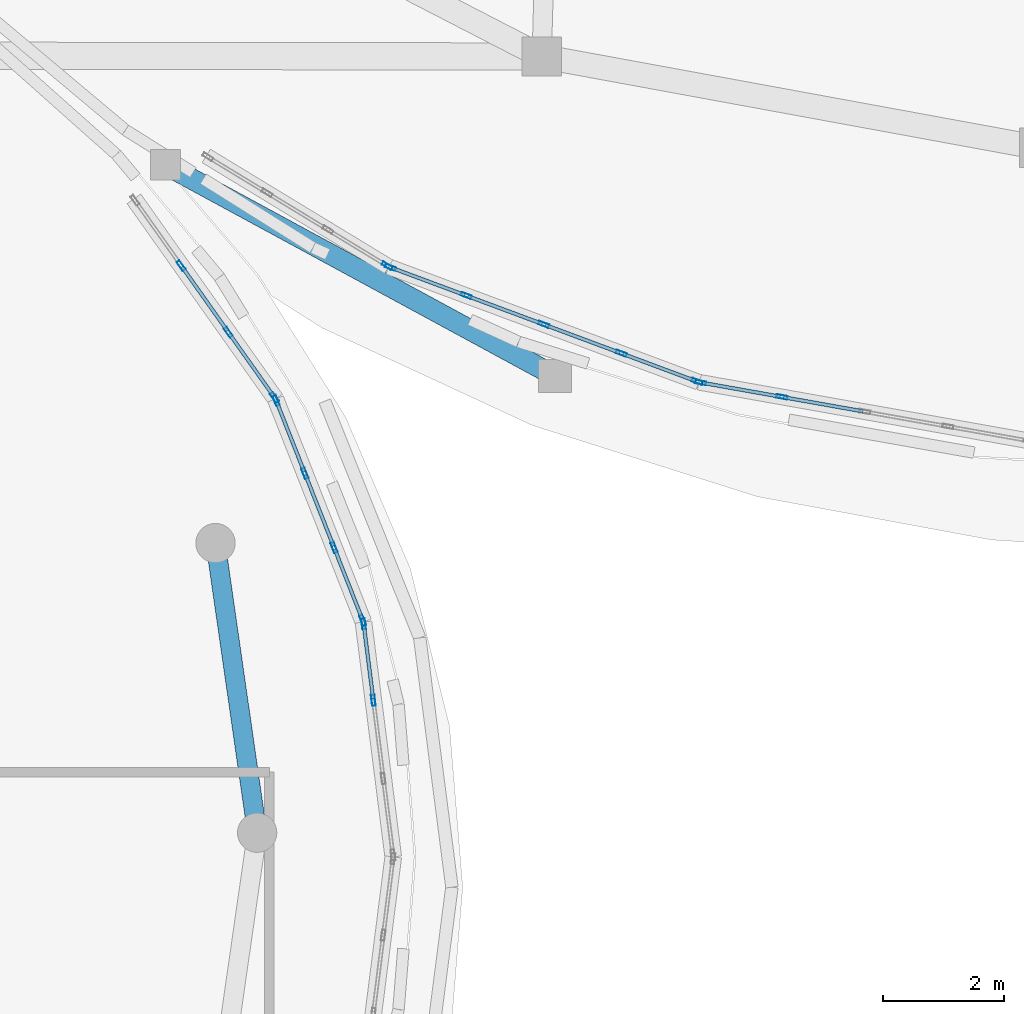
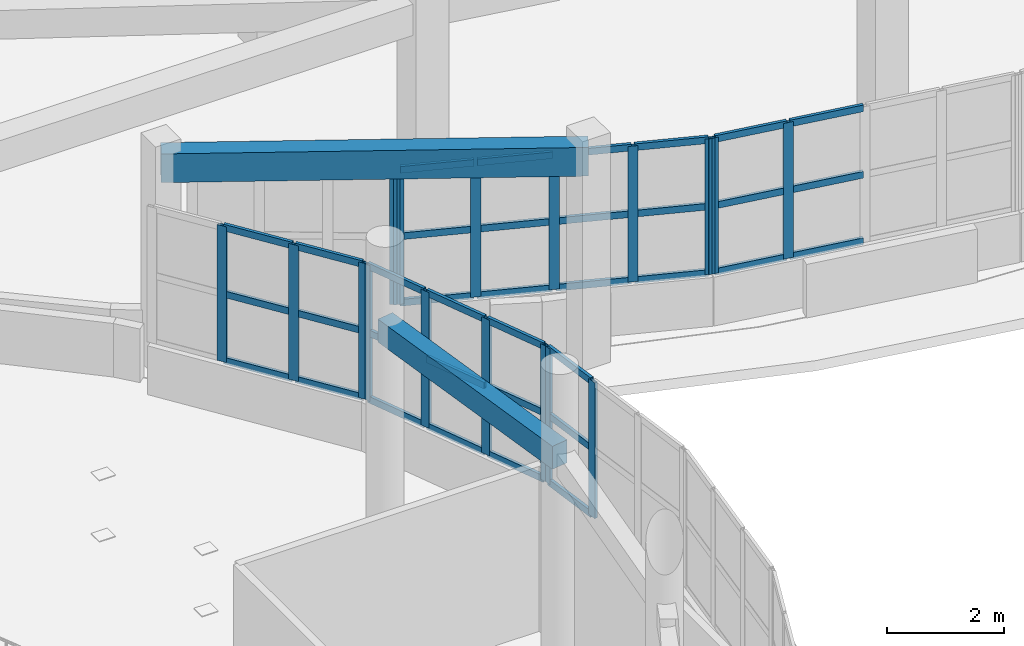
# One storey, part 11 of 105: 53 members, 2 beams, 6 elements without a shape of their own.
"""IFC4 building model written with IfcOpenShell, lengths in metres."""

from ifc_helpers import new_model, si_unit, direction, frame, origin, origin_2d, place, context, subcontext, project, spatial, rectangle, hollow_rectangle, extrude, material, layer, layer_set, material_profile, profile_set, type_object, element, aggregate, save


model = new_model("IFC4")

# Units and contexts
model_context = context("Model", 3, precision=1e-05, world=origin(), true_north=direction((0.0, 1.0)))
body_context = subcontext(model_context, "Body", "Model", "MODEL_VIEW")
ifc_project = project(units=[si_unit("LENGTHUNIT", "METRE"), si_unit("AREAUNIT", "SQUARE_METRE"), si_unit("VOLUMEUNIT", "CUBIC_METRE"), si_unit("PLANEANGLEUNIT", "RADIAN"), si_unit("MASSUNIT", "GRAM", prefix="KILO")], contexts=[model_context])

# Site, building, storey
site_placement = place(None, origin())
site = spatial("IfcSite", under=ifc_project, at=site_placement, CompositionType="ELEMENT")
building_placement = place(site_placement, origin())
building = spatial("IfcBuilding", under=site, at=building_placement, Name="Pelvatis Terrace Science Centre", CompositionType="ELEMENT")
storey_placement = place(building_placement, frame((0.0, 0.0, 10.199951171875)))
storey = spatial("IfcBuildingStorey", under=building, at=storey_placement, Name="L02", CompositionType="ELEMENT", Elevation=10.199951171875)

# Beam
ifc_material_1 = material(Name="Concrete C35/45", Category="concrete")
ifc_material_profile_1 = material_profile(ifc_material_1, rectangle(XDim=0.320068359375, YDim=0.47998046875, at=origin_2d()), Name="RC-BM 320x480")
ifc_profile_set_1 = profile_set([ifc_material_profile_1], Name="Concrete C35/45")
beam_type_1 = type_object("IfcBeamType", Name="BM-RC-320x480", PredefinedType="BEAM", material=ifc_profile_set_1)
beam_1_placement = place(storey_placement, frame((95.0, 54.60009765625, 4.300048828125), z_axis=(-0.142339615489, 0.989817879139, 0.0), x_axis=(-0.989817879139, -0.142339615489, 0.0)))
element("IfcBeam", 1, at=beam_1_placement, inside=storey, type_object=beam_type_1, Name="Beam BM-L02-2876", PredefinedType="BEAM", context=body_context, shape_type="SweptSolid", body=[
    extrude(rectangle(XDim=0.320068359375, YDim=0.47998046875, at=origin_2d()), origin(), (0.0, 0.0, 1.0), 4.838623046875),
])

# Curtain wall, members
ifc_material_2 = material(Name="Bronze-anodised aluminium and laminated glass", Category="aluminium")
ifc_layer = layer(ifc_material_2, 0.179931640625)
ifc_layer_set = layer_set([ifc_layer], Name="Bronze-anodised aluminium and laminated glass")
curtain_wall_type = type_object("IfcCurtainWallType", Name="CW-RIBBON-A", PredefinedType="NOTDEFINED", material=ifc_layer_set)
curtain_wall_1_placement = place(storey_placement, origin())
curtain_wall_1 = element("IfcCurtainWall", 2, at=curtain_wall_1_placement, inside=storey, type_object=curtain_wall_type, Name="Ribbon curtain wall CW-077 (L02)", PredefinedType="NOTDEFINED")
ifc_material_3 = material(Name="Bronze-anodised aluminium 6063-T6", Category="aluminium")
ifc_material_profile_2 = material_profile(ifc_material_3, hollow_rectangle(XDim=0.06005859375, YDim=0.179931640625, WallThickness=0.00390625, at=origin_2d()), Name="ALU-MUL 60x180")
ifc_profile_set_2 = profile_set([ifc_material_profile_2], Name="Bronze-anodised aluminium 6063-T6")
member_type_1 = type_object("IfcMemberType", Name="CWM-60x180", PredefinedType="MULLION", material=ifc_profile_set_2)
member_1_placement = place(storey_placement, frame((96.921630859375, 56.78857421875, 1.02001953125), z_axis=(0.0, 0.0, 1.0), x_axis=(-0.992045836863, -0.125877152665, 0.0)))
member_1 = element("IfcMember", 3, at=member_1_placement, type_object=member_type_1, Name="CW-077 mullion 3", PredefinedType="MULLION", context=body_context, shape_type="SweptSolid", body=[
    extrude(hollow_rectangle(XDim=0.06005859375, YDim=0.179931640625, WallThickness=0.00390625, at=origin_2d()), origin(), (0.0, 0.0, 1.0), 2.840087890625),
])
member_2_placement = place(storey_placement, frame((96.760986328125, 58.05322265625, 1.02001953125), z_axis=(0.0, 0.0, 1.0), x_axis=(-0.992045836863, -0.125877152665, 0.0)))
member_2 = element("IfcMember", 4, at=member_2_placement, type_object=member_type_1, Name="CW-077 mullion 4", PredefinedType="MULLION", context=body_context, shape_type="SweptSolid", body=[
    extrude(hollow_rectangle(XDim=0.06005859375, YDim=0.179931640625, WallThickness=0.00390625, at=origin_2d()), origin(), (0.0, 0.0, 1.0), 2.840087890625),
])

curtain_wall_2_placement = place(storey_placement, origin())
curtain_wall_2 = element("IfcCurtainWall", 5, at=curtain_wall_2_placement, inside=storey, type_object=curtain_wall_type, Name="Ribbon curtain wall CW-078 (L02)", PredefinedType="NOTDEFINED")
member_3_placement = place(storey_placement, frame((96.746337890625, 58.11083984375, 1.02001953125), z_axis=(0.0, 0.0, 1.0), x_axis=(-0.930379715899, -0.366597305287, 0.0)))
member_3 = element("IfcMember", 6, at=member_3_placement, type_object=member_type_1, Name="CW-078 mullion 1", PredefinedType="MULLION", context=body_context, shape_type="SweptSolid", body=[
    extrude(hollow_rectangle(XDim=0.06005859375, YDim=0.179931640625, WallThickness=0.00390625, at=origin_2d()), origin(), (0.0, 0.0, 1.0), 2.840087890625),
])
member_4_placement = place(storey_placement, frame((96.27294921875, 59.3125, 1.02001953125), z_axis=(0.0, 0.0, 1.0), x_axis=(-0.930379715899, -0.366597305287, 0.0)))
member_4 = element("IfcMember", 7, at=member_4_placement, type_object=member_type_1, Name="CW-078 mullion 2", PredefinedType="MULLION", context=body_context, shape_type="SweptSolid", body=[
    extrude(hollow_rectangle(XDim=0.06005859375, YDim=0.179931640625, WallThickness=0.00390625, at=origin_2d()), origin(), (0.0, 0.0, 1.0), 2.840087890625),
])
member_5_placement = place(storey_placement, frame((95.788330078125, 60.541748046875, 1.02001953125), z_axis=(0.0, 0.0, 1.0), x_axis=(-0.930379715899, -0.366597305287, 0.0)))
member_5 = element("IfcMember", 8, at=member_5_placement, type_object=member_type_1, Name="CW-078 mullion 3", PredefinedType="MULLION", context=body_context, shape_type="SweptSolid", body=[
    extrude(hollow_rectangle(XDim=0.06005859375, YDim=0.179931640625, WallThickness=0.00390625, at=origin_2d()), origin(), (0.0, 0.0, 1.0), 2.840087890625),
])
member_6_placement = place(storey_placement, frame((95.31494140625, 61.743408203125, 1.02001953125), z_axis=(0.0, 0.0, 1.0), x_axis=(-0.930379715899, -0.366597305287, 0.0)))
member_6 = element("IfcMember", 9, at=member_6_placement, type_object=member_type_1, Name="CW-078 mullion 4", PredefinedType="MULLION", context=body_context, shape_type="SweptSolid", body=[
    extrude(hollow_rectangle(XDim=0.06005859375, YDim=0.179931640625, WallThickness=0.00390625, at=origin_2d()), origin(), (0.0, 0.0, 1.0), 2.840087890625),
])

curtain_wall_3_placement = place(storey_placement, origin())
curtain_wall_3 = element("IfcCurtainWall", 10, at=curtain_wall_3_placement, inside=storey, type_object=curtain_wall_type, Name="Ribbon curtain wall CW-079 (L02)", PredefinedType="NOTDEFINED")
member_7_placement = place(storey_placement, frame((95.28662109375, 61.7958984375, 1.02001953125), z_axis=(0.0, 0.0, 1.0), x_axis=(-0.8163259778, -0.57759146286, 0.0)))
member_7 = element("IfcMember", 11, at=member_7_placement, type_object=member_type_1, Name="CW-079 mullion 1", PredefinedType="MULLION", context=body_context, shape_type="SweptSolid", body=[
    extrude(hollow_rectangle(XDim=0.06005859375, YDim=0.179931640625, WallThickness=0.00390625, at=origin_2d()), origin(), (0.0, 0.0, 1.0), 2.840087890625),
])
member_8_placement = place(storey_placement, frame((94.523681640625, 62.874267578125, 1.02001953125), z_axis=(0.0, 0.0, 1.0), x_axis=(-0.8163259778, -0.57759146286, 0.0)))
member_8 = element("IfcMember", 12, at=member_8_placement, type_object=member_type_1, Name="CW-079 mullion 2", PredefinedType="MULLION", context=body_context, shape_type="SweptSolid", body=[
    extrude(hollow_rectangle(XDim=0.06005859375, YDim=0.179931640625, WallThickness=0.00390625, at=origin_2d()), origin(), (0.0, 0.0, 1.0), 2.840087890625),
])
member_9_placement = place(storey_placement, frame((93.743408203125, 63.97705078125, 1.02001953125), z_axis=(0.0, 0.0, 1.0), x_axis=(-0.8163259778, -0.57759146286, 0.0)))
member_9 = element("IfcMember", 13, at=member_9_placement, type_object=member_type_1, Name="CW-079 mullion 3", PredefinedType="MULLION", context=body_context, shape_type="SweptSolid", body=[
    extrude(hollow_rectangle(XDim=0.06005859375, YDim=0.179931640625, WallThickness=0.00390625, at=origin_2d()), origin(), (0.0, 0.0, 1.0), 2.840087890625),
])

# Curtain wall, member
curtain_wall_4_placement = place(storey_placement, origin())
curtain_wall_4 = element("IfcCurtainWall", 14, at=curtain_wall_4_placement, inside=storey, type_object=curtain_wall_type, Name="Ribbon curtain wall CW-172 (L02)", PredefinedType="NOTDEFINED")
member_10_placement = place(storey_placement, frame((97.1494140625, 63.973388671875, 1.02001953125), z_axis=(0.0, 0.0, 1.0), x_axis=(0.519182878517, 0.854663172633, 0.0)))
member_10 = element("IfcMember", 15, at=member_10_placement, type_object=member_type_1, Name="CW-172 mullion 4", PredefinedType="MULLION", context=body_context, shape_type="SweptSolid", body=[
    extrude(hollow_rectangle(XDim=0.06005859375, YDim=0.179931640625, WallThickness=0.00390625, at=origin_2d()), origin(), (0.0, 0.0, 1.0), 2.840087890625),
])
aggregate(curtain_wall_4, [member_10])

# Curtain wall, members
curtain_wall_5_placement = place(storey_placement, origin())
curtain_wall_5 = element("IfcCurtainWall", 16, at=curtain_wall_5_placement, inside=storey, type_object=curtain_wall_type, Name="Ribbon curtain wall CW-173 (L02)", PredefinedType="NOTDEFINED")
member_11_placement = place(storey_placement, frame((97.203125, 63.947265625, 1.02001953125), z_axis=(0.0, 0.0, 1.0), x_axis=(0.348869228095, 0.937171415318, 0.0)))
member_11 = element("IfcMember", 17, at=member_11_placement, type_object=member_type_1, Name="CW-173 mullion 1", PredefinedType="MULLION", context=body_context, shape_type="SweptSolid", body=[
    extrude(hollow_rectangle(XDim=0.06005859375, YDim=0.179931640625, WallThickness=0.00390625, at=origin_2d()), origin(), (0.0, 0.0, 1.0), 2.840087890625),
])
member_12_placement = place(storey_placement, frame((98.45703125, 63.48046875, 1.02001953125), z_axis=(0.0, 0.0, 1.0), x_axis=(0.348869228095, 0.937171415318, 0.0)))
member_12 = element("IfcMember", 18, at=member_12_placement, type_object=member_type_1, Name="CW-173 mullion 2", PredefinedType="MULLION", context=body_context, shape_type="SweptSolid", body=[
    extrude(hollow_rectangle(XDim=0.06005859375, YDim=0.179931640625, WallThickness=0.00390625, at=origin_2d()), origin(), (0.0, 0.0, 1.0), 2.840087890625),
])
member_13_placement = place(storey_placement, frame((99.739013671875, 63.003173828125, 1.02001953125), z_axis=(0.0, 0.0, 1.0), x_axis=(0.348869228095, 0.937171415318, 0.0)))
member_13 = element("IfcMember", 19, at=member_13_placement, type_object=member_type_1, Name="CW-173 mullion 3", PredefinedType="MULLION", context=body_context, shape_type="SweptSolid", body=[
    extrude(hollow_rectangle(XDim=0.06005859375, YDim=0.179931640625, WallThickness=0.00390625, at=origin_2d()), origin(), (0.0, 0.0, 1.0), 2.840087890625),
])
member_14_placement = place(storey_placement, frame((101.02099609375, 62.526123046875, 1.02001953125), z_axis=(0.0, 0.0, 1.0), x_axis=(0.348869228095, 0.937171415318, 0.0)))
member_14 = element("IfcMember", 20, at=member_14_placement, type_object=member_type_1, Name="CW-173 mullion 4", PredefinedType="MULLION", context=body_context, shape_type="SweptSolid", body=[
    extrude(hollow_rectangle(XDim=0.06005859375, YDim=0.179931640625, WallThickness=0.00390625, at=origin_2d()), origin(), (0.0, 0.0, 1.0), 2.840087890625),
])
member_15_placement = place(storey_placement, frame((102.27490234375, 62.059326171875, 1.02001953125), z_axis=(0.0, 0.0, 1.0), x_axis=(0.348869228095, 0.937171415318, 0.0)))
member_15 = element("IfcMember", 21, at=member_15_placement, type_object=member_type_1, Name="CW-173 mullion 5", PredefinedType="MULLION", context=body_context, shape_type="SweptSolid", body=[
    extrude(hollow_rectangle(XDim=0.06005859375, YDim=0.179931640625, WallThickness=0.00390625, at=origin_2d()), origin(), (0.0, 0.0, 1.0), 2.840087890625),
])

curtain_wall_6_placement = place(storey_placement, origin())
curtain_wall_6 = element("IfcCurtainWall", 22, at=curtain_wall_6_placement, inside=storey, type_object=curtain_wall_type, Name="Ribbon curtain wall CW-174 (L02)", PredefinedType="NOTDEFINED")
member_16_placement = place(storey_placement, frame((102.33251953125, 62.04345703125, 1.02001953125), z_axis=(0.0, 0.0, 1.0), x_axis=(0.174983117252, 0.984571434014, 0.0)))
member_16 = element("IfcMember", 23, at=member_16_placement, type_object=member_type_1, Name="CW-174 mullion 1", PredefinedType="MULLION", context=body_context, shape_type="SweptSolid", body=[
    extrude(hollow_rectangle(XDim=0.06005859375, YDim=0.179931640625, WallThickness=0.00390625, at=origin_2d()), origin(), (0.0, 0.0, 1.0), 2.840087890625),
])
member_17_placement = place(storey_placement, frame((103.675537109375, 61.804931640625, 1.02001953125), z_axis=(0.0, 0.0, 1.0), x_axis=(0.174983117252, 0.984571434014, 0.0)))
member_17 = element("IfcMember", 24, at=member_17_placement, type_object=member_type_1, Name="CW-174 mullion 2", PredefinedType="MULLION", context=body_context, shape_type="SweptSolid", body=[
    extrude(hollow_rectangle(XDim=0.06005859375, YDim=0.179931640625, WallThickness=0.00390625, at=origin_2d()), origin(), (0.0, 0.0, 1.0), 2.840087890625),
])

# Member
ifc_material_4 = material(Name="Bronze-anodised aluminium 6063-T6", Category="aluminium")
ifc_material_profile_3 = material_profile(ifc_material_4, hollow_rectangle(XDim=0.06005859375, YDim=0.139892578125, WallThickness=0.00390625, at=origin_2d()), Name="ALU-TRN 60x140")
ifc_profile_set_3 = profile_set([ifc_material_profile_3], Name="Bronze-anodised aluminium 6063-T6")
member_type_2 = type_object("IfcMemberType", Name="CWT-60x140", PredefinedType="USERDEFINED", material=ifc_profile_set_3)
member_18_placement = place(storey_placement, frame((96.917724609375, 56.818359375, 1.050048828125), z_axis=(-0.125815556184, 0.992053650677, 0.0), x_axis=(-0.992053650677, -0.125815556184, 0.0)))
member_18 = element("IfcMember", 25, at=member_18_placement, type_object=member_type_2, Name="CW-077 transom 3.1", ObjectType="TRANSOM", PredefinedType="USERDEFINED", context=body_context, shape_type="SweptSolid", body=[
    extrude(hollow_rectangle(XDim=0.06005859375, YDim=0.139892578125, WallThickness=0.00390625, at=origin_2d()), origin(), (0.0, 0.0, 1.0), 1.21484375),
])

member_19_placement = place(storey_placement, frame((96.917724609375, 56.818359375, 2.43994140625), z_axis=(-0.125815556184, 0.992053650677, 0.0), x_axis=(-0.992053650677, -0.125815556184, 0.0)))
member_19 = element("IfcMember", 26, at=member_19_placement, type_object=member_type_2, Name="CW-077 transom 3.2", ObjectType="TRANSOM", PredefinedType="USERDEFINED", context=body_context, shape_type="SweptSolid", body=[
    extrude(hollow_rectangle(XDim=0.06005859375, YDim=0.139892578125, WallThickness=0.00390625, at=origin_2d()), origin(), (0.0, 0.0, 1.0), 1.21484375),
])

member_20_placement = place(storey_placement, frame((96.917724609375, 56.818359375, 3.830078125), z_axis=(-0.125815556184, 0.992053650677, 0.0), x_axis=(-0.992053650677, -0.125815556184, 0.0)))
member_20 = element("IfcMember", 27, at=member_20_placement, type_object=member_type_2, Name="CW-077 transom 3.3", ObjectType="TRANSOM", PredefinedType="USERDEFINED", context=body_context, shape_type="SweptSolid", body=[
    extrude(hollow_rectangle(XDim=0.06005859375, YDim=0.139892578125, WallThickness=0.00390625, at=origin_2d()), origin(), (0.0, 0.0, 1.0), 1.21484375),
])

aggregate(curtain_wall_1, [member_1, member_2, member_18, member_19, member_20])

member_21_placement = place(storey_placement, frame((96.7353515625, 58.138916015625, 1.050048828125), z_axis=(-0.366633747413, 0.930365355792, 0.0), x_axis=(-0.930365355792, -0.366633747413, 0.0)))
member_21 = element("IfcMember", 28, at=member_21_placement, type_object=member_type_2, Name="CW-078 transom 1.1", ObjectType="TRANSOM", PredefinedType="USERDEFINED", context=body_context, shape_type="SweptSolid", body=[
    extrude(hollow_rectangle(XDim=0.06005859375, YDim=0.139892578125, WallThickness=0.00390625, at=origin_2d()), origin(), (0.0, 0.0, 1.0), 1.231201171875),
])

member_22_placement = place(storey_placement, frame((96.7353515625, 58.138916015625, 2.43994140625), z_axis=(-0.366633747413, 0.930365355792, 0.0), x_axis=(-0.930365355792, -0.366633747413, 0.0)))
member_22 = element("IfcMember", 29, at=member_22_placement, type_object=member_type_2, Name="CW-078 transom 1.2", ObjectType="TRANSOM", PredefinedType="USERDEFINED", context=body_context, shape_type="SweptSolid", body=[
    extrude(hollow_rectangle(XDim=0.06005859375, YDim=0.139892578125, WallThickness=0.00390625, at=origin_2d()), origin(), (0.0, 0.0, 1.0), 1.231201171875),
])

member_23_placement = place(storey_placement, frame((96.7353515625, 58.138916015625, 3.830078125), z_axis=(-0.366633747413, 0.930365355792, 0.0), x_axis=(-0.930365355792, -0.366633747413, 0.0)))
member_23 = element("IfcMember", 30, at=member_23_placement, type_object=member_type_2, Name="CW-078 transom 1.3", ObjectType="TRANSOM", PredefinedType="USERDEFINED", context=body_context, shape_type="SweptSolid", body=[
    extrude(hollow_rectangle(XDim=0.06005859375, YDim=0.139892578125, WallThickness=0.00390625, at=origin_2d()), origin(), (0.0, 0.0, 1.0), 1.231201171875),
])

member_24_placement = place(storey_placement, frame((96.261962890625, 59.34033203125, 1.050048828125), z_axis=(-0.366747887868, 0.9303203678, 0.0), x_axis=(-0.9303203678, -0.366747887868, 0.0)))
member_24 = element("IfcMember", 31, at=member_24_placement, type_object=member_type_2, Name="CW-078 transom 2.1", ObjectType="TRANSOM", PredefinedType="USERDEFINED", context=body_context, shape_type="SweptSolid", body=[
    extrude(hollow_rectangle(XDim=0.06005859375, YDim=0.139892578125, WallThickness=0.00390625, at=origin_2d()), origin(), (0.0, 0.0, 1.0), 1.261474609375),
])

member_25_placement = place(storey_placement, frame((96.261962890625, 59.34033203125, 2.43994140625), z_axis=(-0.366747887868, 0.9303203678, 0.0), x_axis=(-0.9303203678, -0.366747887868, 0.0)))
member_25 = element("IfcMember", 32, at=member_25_placement, type_object=member_type_2, Name="CW-078 transom 2.2", ObjectType="TRANSOM", PredefinedType="USERDEFINED", context=body_context, shape_type="SweptSolid", body=[
    extrude(hollow_rectangle(XDim=0.06005859375, YDim=0.139892578125, WallThickness=0.00390625, at=origin_2d()), origin(), (0.0, 0.0, 1.0), 1.261474609375),
])

member_26_placement = place(storey_placement, frame((96.261962890625, 59.34033203125, 3.830078125), z_axis=(-0.366747887868, 0.9303203678, 0.0), x_axis=(-0.9303203678, -0.366747887868, 0.0)))
member_26 = element("IfcMember", 33, at=member_26_placement, type_object=member_type_2, Name="CW-078 transom 2.3", ObjectType="TRANSOM", PredefinedType="USERDEFINED", context=body_context, shape_type="SweptSolid", body=[
    extrude(hollow_rectangle(XDim=0.06005859375, YDim=0.139892578125, WallThickness=0.00390625, at=origin_2d()), origin(), (0.0, 0.0, 1.0), 1.261474609375),
])

member_27_placement = place(storey_placement, frame((95.77734375, 60.56982421875, 1.050048828125), z_axis=(-0.366566122362, 0.930392002296, 0.0), x_axis=(-0.930392002296, -0.366566122362, 0.0)))
member_27 = element("IfcMember", 34, at=member_27_placement, type_object=member_type_2, Name="CW-078 transom 3.1", ObjectType="TRANSOM", PredefinedType="USERDEFINED", context=body_context, shape_type="SweptSolid", body=[
    extrude(hollow_rectangle(XDim=0.06005859375, YDim=0.139892578125, WallThickness=0.00390625, at=origin_2d()), origin(), (0.0, 0.0, 1.0), 1.2314453125),
])

member_28_placement = place(storey_placement, frame((95.77734375, 60.56982421875, 2.43994140625), z_axis=(-0.366566122362, 0.930392002296, 0.0), x_axis=(-0.930392002296, -0.366566122362, 0.0)))
member_28 = element("IfcMember", 35, at=member_28_placement, type_object=member_type_2, Name="CW-078 transom 3.2", ObjectType="TRANSOM", PredefinedType="USERDEFINED", context=body_context, shape_type="SweptSolid", body=[
    extrude(hollow_rectangle(XDim=0.06005859375, YDim=0.139892578125, WallThickness=0.00390625, at=origin_2d()), origin(), (0.0, 0.0, 1.0), 1.2314453125),
])

member_29_placement = place(storey_placement, frame((95.77734375, 60.56982421875, 3.830078125), z_axis=(-0.366566122362, 0.930392002296, 0.0), x_axis=(-0.930392002296, -0.366566122362, 0.0)))
member_29 = element("IfcMember", 36, at=member_29_placement, type_object=member_type_2, Name="CW-078 transom 3.3", ObjectType="TRANSOM", PredefinedType="USERDEFINED", context=body_context, shape_type="SweptSolid", body=[
    extrude(hollow_rectangle(XDim=0.06005859375, YDim=0.139892578125, WallThickness=0.00390625, at=origin_2d()), origin(), (0.0, 0.0, 1.0), 1.2314453125),
])

aggregate(curtain_wall_2, [member_3, member_4, member_5, member_6, member_21, member_22, member_23, member_24, member_25, member_26, member_27, member_28, member_29])

member_30_placement = place(storey_placement, frame((95.269287109375, 61.8203125, 1.050048828125), z_axis=(-0.577587477213, 0.81632879783, 0.0), x_axis=(-0.81632879783, -0.577587477213, 0.0)))
member_30 = element("IfcMember", 37, at=member_30_placement, type_object=member_type_2, Name="CW-079 transom 1.1", ObjectType="TRANSOM", PredefinedType="USERDEFINED", context=body_context, shape_type="SweptSolid", body=[
    extrude(hollow_rectangle(XDim=0.06005859375, YDim=0.139892578125, WallThickness=0.00390625, at=origin_2d()), origin(), (0.0, 0.0, 1.0), 1.260986328125),
])

member_31_placement = place(storey_placement, frame((95.269287109375, 61.8203125, 2.43994140625), z_axis=(-0.577587477213, 0.81632879783, 0.0), x_axis=(-0.81632879783, -0.577587477213, 0.0)))
member_31 = element("IfcMember", 38, at=member_31_placement, type_object=member_type_2, Name="CW-079 transom 1.2", ObjectType="TRANSOM", PredefinedType="USERDEFINED", context=body_context, shape_type="SweptSolid", body=[
    extrude(hollow_rectangle(XDim=0.06005859375, YDim=0.139892578125, WallThickness=0.00390625, at=origin_2d()), origin(), (0.0, 0.0, 1.0), 1.260986328125),
])

member_32_placement = place(storey_placement, frame((95.269287109375, 61.8203125, 3.830078125), z_axis=(-0.577587477213, 0.81632879783, 0.0), x_axis=(-0.81632879783, -0.577587477213, 0.0)))
member_32 = element("IfcMember", 39, at=member_32_placement, type_object=member_type_2, Name="CW-079 transom 1.3", ObjectType="TRANSOM", PredefinedType="USERDEFINED", context=body_context, shape_type="SweptSolid", body=[
    extrude(hollow_rectangle(XDim=0.06005859375, YDim=0.139892578125, WallThickness=0.00390625, at=origin_2d()), origin(), (0.0, 0.0, 1.0), 1.260986328125),
])

member_33_placement = place(storey_placement, frame((94.50634765625, 62.898681640625, 1.050048828125), z_axis=(-0.57752927875, 0.816369972614, 0.0), x_axis=(-0.816369972614, -0.57752927875, 0.0)))
member_33 = element("IfcMember", 40, at=member_33_placement, type_object=member_type_2, Name="CW-079 transom 2.1", ObjectType="TRANSOM", PredefinedType="USERDEFINED", context=body_context, shape_type="SweptSolid", body=[
    extrude(hollow_rectangle(XDim=0.06005859375, YDim=0.139892578125, WallThickness=0.00390625, at=origin_2d()), origin(), (0.0, 0.0, 1.0), 1.291015625),
])

member_34_placement = place(storey_placement, frame((94.50634765625, 62.898681640625, 2.43994140625), z_axis=(-0.57752927875, 0.816369972614, 0.0), x_axis=(-0.816369972614, -0.57752927875, 0.0)))
member_34 = element("IfcMember", 41, at=member_34_placement, type_object=member_type_2, Name="CW-079 transom 2.2", ObjectType="TRANSOM", PredefinedType="USERDEFINED", context=body_context, shape_type="SweptSolid", body=[
    extrude(hollow_rectangle(XDim=0.06005859375, YDim=0.139892578125, WallThickness=0.00390625, at=origin_2d()), origin(), (0.0, 0.0, 1.0), 1.291015625),
])

member_35_placement = place(storey_placement, frame((94.50634765625, 62.898681640625, 3.830078125), z_axis=(-0.57752927875, 0.816369972614, 0.0), x_axis=(-0.816369972614, -0.57752927875, 0.0)))
member_35 = element("IfcMember", 42, at=member_35_placement, type_object=member_type_2, Name="CW-079 transom 2.3", ObjectType="TRANSOM", PredefinedType="USERDEFINED", context=body_context, shape_type="SweptSolid", body=[
    extrude(hollow_rectangle(XDim=0.06005859375, YDim=0.139892578125, WallThickness=0.00390625, at=origin_2d()), origin(), (0.0, 0.0, 1.0), 1.291015625),
])

aggregate(curtain_wall_3, [member_7, member_8, member_9, member_30, member_31, member_32, member_33, member_34, member_35])

member_36_placement = place(storey_placement, frame((97.231201171875, 63.936767578125, 1.050048828125), z_axis=(0.937189903028, -0.34881956032, 0.0), x_axis=(0.34881956032, 0.937189903028, 0.0)))
member_36 = element("IfcMember", 43, at=member_36_placement, type_object=member_type_2, Name="CW-173 transom 1.1", ObjectType="TRANSOM", PredefinedType="USERDEFINED", context=body_context, shape_type="SweptSolid", body=[
    extrude(hollow_rectangle(XDim=0.06005859375, YDim=0.139892578125, WallThickness=0.00390625, at=origin_2d()), origin(), (0.0, 0.0, 1.0), 1.278076171875),
])

member_37_placement = place(storey_placement, frame((97.231201171875, 63.936767578125, 2.43994140625), z_axis=(0.937189903028, -0.34881956032, 0.0), x_axis=(0.34881956032, 0.937189903028, 0.0)))
member_37 = element("IfcMember", 44, at=member_37_placement, type_object=member_type_2, Name="CW-173 transom 1.2", ObjectType="TRANSOM", PredefinedType="USERDEFINED", context=body_context, shape_type="SweptSolid", body=[
    extrude(hollow_rectangle(XDim=0.06005859375, YDim=0.139892578125, WallThickness=0.00390625, at=origin_2d()), origin(), (0.0, 0.0, 1.0), 1.278076171875),
])

member_38_placement = place(storey_placement, frame((97.231201171875, 63.936767578125, 3.830078125), z_axis=(0.937189903028, -0.34881956032, 0.0), x_axis=(0.34881956032, 0.937189903028, 0.0)))
member_38 = element("IfcMember", 45, at=member_38_placement, type_object=member_type_2, Name="CW-173 transom 1.3", ObjectType="TRANSOM", PredefinedType="USERDEFINED", context=body_context, shape_type="SweptSolid", body=[
    extrude(hollow_rectangle(XDim=0.06005859375, YDim=0.139892578125, WallThickness=0.00390625, at=origin_2d()), origin(), (0.0, 0.0, 1.0), 1.278076171875),
])

member_39_placement = place(storey_placement, frame((98.485107421875, 63.469970703125, 1.050048828125), z_axis=(0.937177862981, -0.348851907172, 0.0), x_axis=(0.348851907172, 0.937177862981, 0.0)))
member_39 = element("IfcMember", 46, at=member_39_placement, type_object=member_type_2, Name="CW-173 transom 2.1", ObjectType="TRANSOM", PredefinedType="USERDEFINED", context=body_context, shape_type="SweptSolid", body=[
    extrude(hollow_rectangle(XDim=0.06005859375, YDim=0.139892578125, WallThickness=0.00390625, at=origin_2d()), origin(), (0.0, 0.0, 1.0), 1.30810546875),
])

member_40_placement = place(storey_placement, frame((98.485107421875, 63.469970703125, 2.43994140625), z_axis=(0.937177862981, -0.348851907172, 0.0), x_axis=(0.348851907172, 0.937177862981, 0.0)))
member_40 = element("IfcMember", 47, at=member_40_placement, type_object=member_type_2, Name="CW-173 transom 2.2", ObjectType="TRANSOM", PredefinedType="USERDEFINED", context=body_context, shape_type="SweptSolid", body=[
    extrude(hollow_rectangle(XDim=0.06005859375, YDim=0.139892578125, WallThickness=0.00390625, at=origin_2d()), origin(), (0.0, 0.0, 1.0), 1.30810546875),
])

member_41_placement = place(storey_placement, frame((98.485107421875, 63.469970703125, 3.830078125), z_axis=(0.937177862981, -0.348851907172, 0.0), x_axis=(0.348851907172, 0.937177862981, 0.0)))
member_41 = element("IfcMember", 48, at=member_41_placement, type_object=member_type_2, Name="CW-173 transom 2.3", ObjectType="TRANSOM", PredefinedType="USERDEFINED", context=body_context, shape_type="SweptSolid", body=[
    extrude(hollow_rectangle(XDim=0.06005859375, YDim=0.139892578125, WallThickness=0.00390625, at=origin_2d()), origin(), (0.0, 0.0, 1.0), 1.30810546875),
])

member_42_placement = place(storey_placement, frame((99.76708984375, 62.99267578125, 1.050048828125), z_axis=(0.937177862981, -0.348851907172, 0.0), x_axis=(0.348851907172, 0.937177862981, 0.0)))
member_42 = element("IfcMember", 49, at=member_42_placement, type_object=member_type_2, Name="CW-173 transom 3.1", ObjectType="TRANSOM", PredefinedType="USERDEFINED", context=body_context, shape_type="SweptSolid", body=[
    extrude(hollow_rectangle(XDim=0.06005859375, YDim=0.139892578125, WallThickness=0.00390625, at=origin_2d()), origin(), (0.0, 0.0, 1.0), 1.30810546875),
])

member_43_placement = place(storey_placement, frame((99.76708984375, 62.99267578125, 2.43994140625), z_axis=(0.937177862981, -0.348851907172, 0.0), x_axis=(0.348851907172, 0.937177862981, 0.0)))
member_43 = element("IfcMember", 50, at=member_43_placement, type_object=member_type_2, Name="CW-173 transom 3.2", ObjectType="TRANSOM", PredefinedType="USERDEFINED", context=body_context, shape_type="SweptSolid", body=[
    extrude(hollow_rectangle(XDim=0.06005859375, YDim=0.139892578125, WallThickness=0.00390625, at=origin_2d()), origin(), (0.0, 0.0, 1.0), 1.30810546875),
])

member_44_placement = place(storey_placement, frame((99.76708984375, 62.99267578125, 3.830078125), z_axis=(0.937177862981, -0.348851907172, 0.0), x_axis=(0.348851907172, 0.937177862981, 0.0)))
member_44 = element("IfcMember", 51, at=member_44_placement, type_object=member_type_2, Name="CW-173 transom 3.3", ObjectType="TRANSOM", PredefinedType="USERDEFINED", context=body_context, shape_type="SweptSolid", body=[
    extrude(hollow_rectangle(XDim=0.06005859375, YDim=0.139892578125, WallThickness=0.00390625, at=origin_2d()), origin(), (0.0, 0.0, 1.0), 1.30810546875),
])

member_45_placement = place(storey_placement, frame((101.049072265625, 62.515625, 1.050048828125), z_axis=(0.937166653275, -0.348882020159, 0.0), x_axis=(0.348882020159, 0.937166653275, 0.0)))
member_45 = element("IfcMember", 52, at=member_45_placement, type_object=member_type_2, Name="CW-173 transom 4.1", ObjectType="TRANSOM", PredefinedType="USERDEFINED", context=body_context, shape_type="SweptSolid", body=[
    extrude(hollow_rectangle(XDim=0.06005859375, YDim=0.139892578125, WallThickness=0.00390625, at=origin_2d()), origin(), (0.0, 0.0, 1.0), 1.27783203125),
])

member_46_placement = place(storey_placement, frame((101.049072265625, 62.515625, 2.43994140625), z_axis=(0.937166653275, -0.348882020159, 0.0), x_axis=(0.348882020159, 0.937166653275, 0.0)))
member_46 = element("IfcMember", 53, at=member_46_placement, type_object=member_type_2, Name="CW-173 transom 4.2", ObjectType="TRANSOM", PredefinedType="USERDEFINED", context=body_context, shape_type="SweptSolid", body=[
    extrude(hollow_rectangle(XDim=0.06005859375, YDim=0.139892578125, WallThickness=0.00390625, at=origin_2d()), origin(), (0.0, 0.0, 1.0), 1.27783203125),
])

member_47_placement = place(storey_placement, frame((101.049072265625, 62.515625, 3.830078125), z_axis=(0.937166653275, -0.348882020159, 0.0), x_axis=(0.348882020159, 0.937166653275, 0.0)))
member_47 = element("IfcMember", 54, at=member_47_placement, type_object=member_type_2, Name="CW-173 transom 4.3", ObjectType="TRANSOM", PredefinedType="USERDEFINED", context=body_context, shape_type="SweptSolid", body=[
    extrude(hollow_rectangle(XDim=0.06005859375, YDim=0.139892578125, WallThickness=0.00390625, at=origin_2d()), origin(), (0.0, 0.0, 1.0), 1.27783203125),
])

aggregate(curtain_wall_5, [member_11, member_12, member_13, member_14, member_15, member_36, member_37, member_38, member_39, member_40, member_41, member_42, member_43, member_44, member_45, member_46, member_47])

member_48_placement = place(storey_placement, frame((102.362060546875, 62.038330078125, 1.050048828125), z_axis=(0.984560356852, -0.175045433287, 0.0), x_axis=(0.175045433287, 0.984560356852, 0.0)))
member_48 = element("IfcMember", 55, at=member_48_placement, type_object=member_type_2, Name="CW-174 transom 1.1", ObjectType="TRANSOM", PredefinedType="USERDEFINED", context=body_context, shape_type="SweptSolid", body=[
    extrude(hollow_rectangle(XDim=0.06005859375, YDim=0.139892578125, WallThickness=0.00390625, at=origin_2d()), origin(), (0.0, 0.0, 1.0), 1.303955078125),
])

member_49_placement = place(storey_placement, frame((102.362060546875, 62.038330078125, 2.43994140625), z_axis=(0.984560356852, -0.175045433287, 0.0), x_axis=(0.175045433287, 0.984560356852, 0.0)))
member_49 = element("IfcMember", 56, at=member_49_placement, type_object=member_type_2, Name="CW-174 transom 1.2", ObjectType="TRANSOM", PredefinedType="USERDEFINED", context=body_context, shape_type="SweptSolid", body=[
    extrude(hollow_rectangle(XDim=0.06005859375, YDim=0.139892578125, WallThickness=0.00390625, at=origin_2d()), origin(), (0.0, 0.0, 1.0), 1.303955078125),
])

member_50_placement = place(storey_placement, frame((102.362060546875, 62.038330078125, 3.830078125), z_axis=(0.984560356852, -0.175045433287, 0.0), x_axis=(0.175045433287, 0.984560356852, 0.0)))
member_50 = element("IfcMember", 57, at=member_50_placement, type_object=member_type_2, Name="CW-174 transom 1.3", ObjectType="TRANSOM", PredefinedType="USERDEFINED", context=body_context, shape_type="SweptSolid", body=[
    extrude(hollow_rectangle(XDim=0.06005859375, YDim=0.139892578125, WallThickness=0.00390625, at=origin_2d()), origin(), (0.0, 0.0, 1.0), 1.303955078125),
])

member_51_placement = place(storey_placement, frame((103.705078125, 61.799560546875, 1.050048828125), z_axis=(0.984576521425, -0.174954489681, 0.0), x_axis=(0.174954489681, 0.984576521425, 0.0)))
member_51 = element("IfcMember", 58, at=member_51_placement, type_object=member_type_2, Name="CW-174 transom 2.1", ObjectType="TRANSOM", PredefinedType="USERDEFINED", context=body_context, shape_type="SweptSolid", body=[
    extrude(hollow_rectangle(XDim=0.06005859375, YDim=0.139892578125, WallThickness=0.00390625, at=origin_2d()), origin(), (0.0, 0.0, 1.0), 1.333984375),
])

member_52_placement = place(storey_placement, frame((103.705078125, 61.799560546875, 2.43994140625), z_axis=(0.984576521425, -0.174954489681, 0.0), x_axis=(0.174954489681, 0.984576521425, 0.0)))
member_52 = element("IfcMember", 59, at=member_52_placement, type_object=member_type_2, Name="CW-174 transom 2.2", ObjectType="TRANSOM", PredefinedType="USERDEFINED", context=body_context, shape_type="SweptSolid", body=[
    extrude(hollow_rectangle(XDim=0.06005859375, YDim=0.139892578125, WallThickness=0.00390625, at=origin_2d()), origin(), (0.0, 0.0, 1.0), 1.333984375),
])

member_53_placement = place(storey_placement, frame((103.705078125, 61.799560546875, 3.830078125), z_axis=(0.984576521425, -0.174954489681, 0.0), x_axis=(0.174954489681, 0.984576521425, 0.0)))
member_53 = element("IfcMember", 60, at=member_53_placement, type_object=member_type_2, Name="CW-174 transom 2.3", ObjectType="TRANSOM", PredefinedType="USERDEFINED", context=body_context, shape_type="SweptSolid", body=[
    extrude(hollow_rectangle(XDim=0.06005859375, YDim=0.139892578125, WallThickness=0.00390625, at=origin_2d()), origin(), (0.0, 0.0, 1.0), 1.333984375),
])

aggregate(curtain_wall_6, [member_16, member_17, member_48, member_49, member_50, member_51, member_52, member_53])

# Beam
ifc_material_5 = material(Name="Concrete C35/45", Category="concrete")
ifc_material_profile_4 = material_profile(ifc_material_5, rectangle(XDim=0.340087890625, YDim=0.60009765625, at=origin_2d()), Name="RC-SPN 340x600")
ifc_profile_set_4 = profile_set([ifc_material_profile_4], Name="Concrete C35/45")
beam_type_2 = type_object("IfcBeamType", Name="SPN-RC-340x600", PredefinedType="SPANDREL", material=ifc_profile_set_4)
beam_2_placement = place(storey_placement, frame((93.484130859375, 65.64453125, 4.239990234375), z_axis=(0.879051735315, -0.476726385509, 0.0), x_axis=(0.476726385509, 0.879051735315, 0.0)))
element("IfcBeam", 61, at=beam_2_placement, inside=storey, type_object=beam_type_2, Name="Spandrel SP-L02-2927", PredefinedType="SPANDREL", context=body_context, shape_type="SweptSolid", body=[
    extrude(rectangle(XDim=0.340087890625, YDim=0.60009765625, at=origin_2d()), origin(), (0.0, 0.0, 1.0), 7.327392578125),
])

save(model, "model.ifc")
